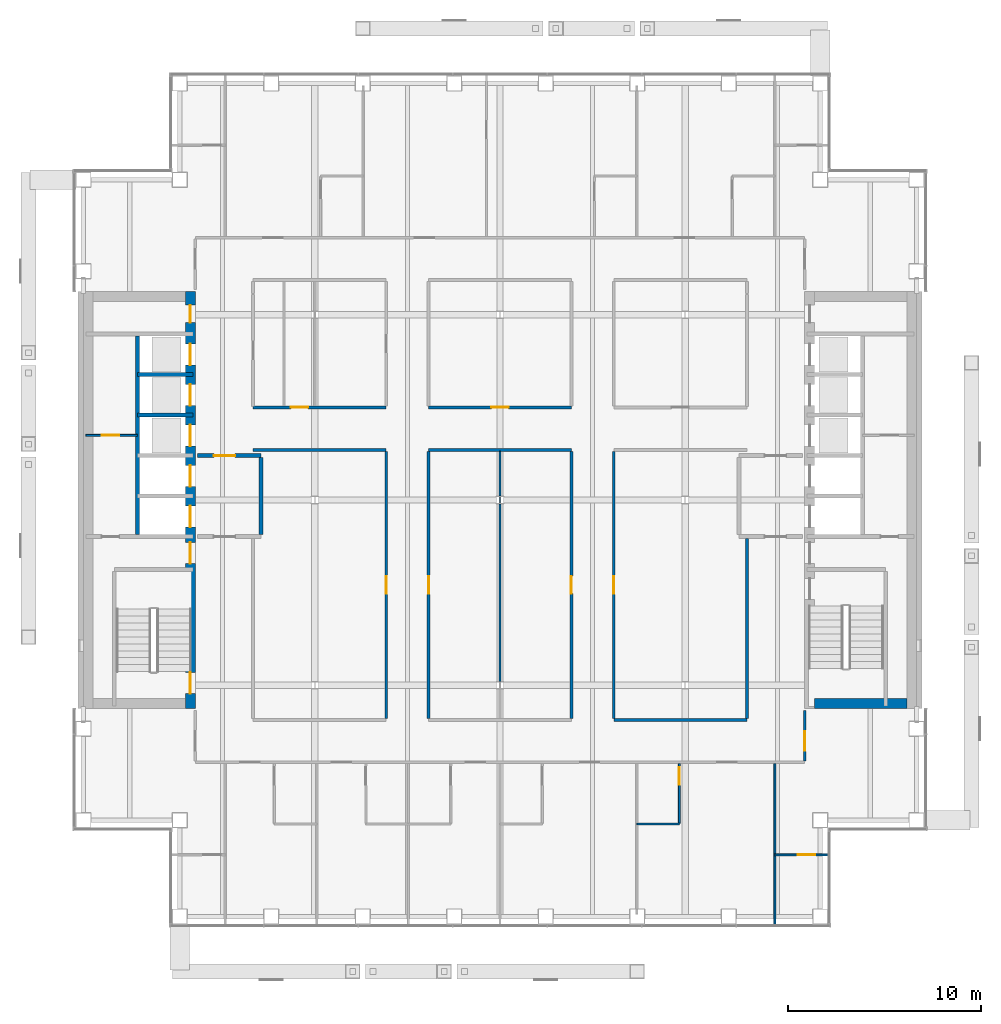
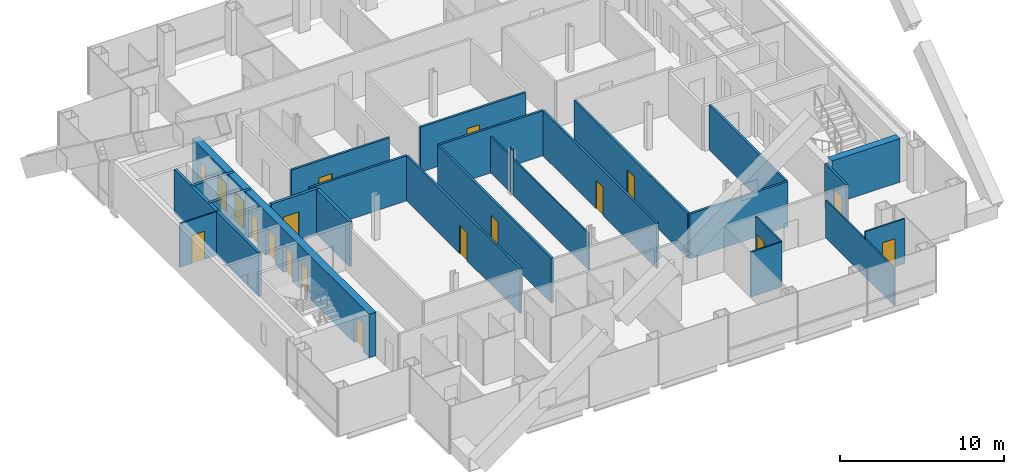
# One storey, part 13 of 17: 26 walls, 19 doors, 19 openings.
"""IFC4 building model written with IfcOpenShell, lengths in metres."""

import ifcopenshell
import ifcopenshell.guid

model = None  # the IFC model being written
_history = None  # IfcOwnerHistory: only IFC2X3 demands one
_inside = {}  # id of a spatial element -> (the spatial element, [elements in it])
_under = {}  # id of a project, library or spatial element -> (it, [spatial elements below it])
_declared = {}  # id of a project -> (the project, [libraries it declares])
_typed = {}  # id of a type object -> (the type object, [elements of that type])
_made_of = {}  # id of a material, layer set ... -> (it, [elements and type objects made of it])


def new_model(schema):
    """Start an empty IFC model of exactly this schema.

    Asked for "IFC4X3", IfcOpenShell would pick the latest addendum, in which some entities
    have other attributes; the version numbers below select the first issue.
    IFC2X3 requires an IfcOwnerHistory on every rooted entity: one is made here for all.
    """
    global model, _history
    if schema == "IFC4X3":
        model = ifcopenshell.file(schema_version=(4, 3, 0, 0))
    else:
        model = ifcopenshell.file(schema=schema)
    _inside.clear()
    _under.clear()
    _declared.clear()
    _typed.clear()
    _made_of.clear()
    _history = None
    if model.schema == "IFC2X3":
        org = make("IfcOrganization", Name="unknown")
        user = make(
            "IfcPersonAndOrganization",
            ThePerson=make("IfcPerson", FamilyName="unknown"),
            TheOrganization=org,
        )
        app = make(
            "IfcApplication",
            ApplicationDeveloper=org,
            Version="unknown",
            ApplicationFullName="unknown",
            ApplicationIdentifier="unknown",
        )
        _history = make(
            "IfcOwnerHistory",
            OwningUser=user,
            OwningApplication=app,
            ChangeAction="ADDED",
            CreationDate=0,
        )
    return model


def make(cls, **values):
    """One entity of the class cls with the attributes given. An attribute that is None is left unset."""
    return model.create_entity(
        cls, **{name: value for name, value in values.items() if value is not None}
    )


def rooted(cls, **values):
    """An entity with a GlobalId (a new one), such as an element, a storey or a relation."""
    return make(cls, GlobalId=ifcopenshell.guid.new(), OwnerHistory=_history, **values)


def si_unit(unit_type, name, prefix=None):
    """IfcSIUnit, for example si_unit("LENGTHUNIT", "METRE", prefix="MILLI")."""
    return make("IfcSIUnit", UnitType=unit_type, Prefix=prefix, Name=name)


def assignment(units):
    """IfcUnitAssignment: the units of a project."""
    return None if units is None else make("IfcUnitAssignment", Units=units)


def point(xyz):
    """IfcCartesianPoint."""
    return None if xyz is None else make("IfcCartesianPoint", Coordinates=xyz)


def direction(xyz):
    """IfcDirection."""
    return None if xyz is None else make("IfcDirection", DirectionRatios=xyz)


def frame(location, z_axis=None, x_axis=None):
    """IfcAxis2Placement3D, a coordinate frame: its origin and axes. An axis left out is left unset."""
    return make(
        "IfcAxis2Placement3D",
        Location=point(location),
        Axis=direction(z_axis),
        RefDirection=direction(x_axis),
    )


def frame_2d(location, x_axis=None):
    """IfcAxis2Placement2D, a coordinate frame in the plane: its origin and x axis."""
    return make(
        "IfcAxis2Placement2D", Location=point(location), RefDirection=direction(x_axis)
    )


def origin():
    """The frame at (0, 0, 0) with its axes left unset."""
    return frame((0.0, 0.0, 0.0))


def place(relative_to, where):
    """IfcLocalPlacement: puts the frame where relative to a parent placement (None: the world)."""
    return make(
        "IfcLocalPlacement", PlacementRelTo=relative_to, RelativePlacement=where
    )


def context(
    kind, dimensions, precision=None, world=None, true_north=None, identifier=None
):
    """IfcGeometricRepresentationContext, for example the 3D "Model" context."""
    return make(
        "IfcGeometricRepresentationContext",
        ContextIdentifier=identifier,
        ContextType=kind,
        CoordinateSpaceDimension=dimensions,
        Precision=precision,
        WorldCoordinateSystem=world,
        TrueNorth=true_north,
    )


def subcontext(parent, identifier, kind, view, scale=None):
    """IfcGeometricRepresentationSubContext, for example "Body" below "Model"."""
    return make(
        "IfcGeometricRepresentationSubContext",
        ContextIdentifier=identifier,
        ContextType=kind,
        ParentContext=parent,
        TargetScale=scale,
        TargetView=view,
    )


def project(units=None, contexts=None):
    """IfcProject with its units and contexts."""
    return rooted(
        "IfcProject",
        Name="project",
        RepresentationContexts=contexts,
        UnitsInContext=assignment(units),
    )


def spatial(cls, under=None, at=None, **own):
    """A site, building, storey or space (cls), placed at a placement, below another one or the project."""
    s = rooted(cls, ObjectPlacement=at, **own)
    if under is not None:
        _under.setdefault(under.id(), (under, []))[1].append(s)
    return s


def profile(cls, at=None, kind="AREA", **sizes):
    """A parametric profile (cls). Its sizes go by their IFC names, for example OverallWidth=200.0."""
    return make(cls, ProfileType=kind, Position=at, **sizes)


def rectangle(**sizes):
    """IfcRectangleProfileDef."""
    return profile("IfcRectangleProfileDef", **sizes)


def extrude(swept, where, along, depth):
    """IfcExtrudedAreaSolid: the profile swept, set in the frame where, extruded along a direction by depth."""
    return make(
        "IfcExtrudedAreaSolid",
        SweptArea=swept,
        Position=where,
        ExtrudedDirection=direction(along),
        Depth=depth,
    )


def shape(context_of_items, identifier, shape_type, items):
    """IfcShapeRepresentation: the items that make up one representation, for example the "Body"."""
    return make(
        "IfcShapeRepresentation",
        ContextOfItems=context_of_items,
        RepresentationIdentifier=identifier,
        RepresentationType=shape_type,
        Items=items,
    )


def material(Name=None, Category=None):
    """IfcMaterial."""
    return make("IfcMaterial", Name=Name, Category=Category)


def layer(
    of_material, thickness, ventilated=None, Name=None, Category=None, Priority=None
):
    """IfcMaterialLayer: one layer of a wall or slab, of a material (None: an air gap)."""
    return make(
        "IfcMaterialLayer",
        Material=of_material,
        LayerThickness=thickness,
        IsVentilated=ventilated,
        Name=Name,
        Category=Category,
        Priority=Priority,
    )


def layer_set(layers, Name=None):
    """IfcMaterialLayerSet."""
    return make("IfcMaterialLayerSet", MaterialLayers=layers, LayerSetName=Name)


def made_of(thing, what):
    """Note that an element or type object is made of a material, layer set ...; save() writes the relation."""
    if what is not None:
        _made_of.setdefault(what.id(), (what, []))[1].append(thing)
    return thing


def type_object(cls, material=None, **own):
    """A type object (cls), such as IfcWallType, which elements share."""
    return made_of(rooted(cls, **own), material)


def element(
    cls,
    number,
    at=None,
    inside=None,
    cuts=None,
    type_object=None,
    material=None,
    context=None,
    identifier="Body",
    shape_type=None,
    held_by="IfcProductDefinitionShape",
    body=None,
    shapes=None,
    **own,
):
    """One element of the class cls, such as IfcWall. Its Tag is "e" and its number.

    at: its placement. inside: the storey or other place that contains it. cuts: it is an
    opening in that element (IfcRelVoidsElement). A single representation is given by context,
    identifier, shape_type and body (its items); several are given by shapes. held_by: the class
    of the entity that holds the representations. save() writes the other relations.
    """
    e = rooted(cls, Tag="e%d" % number, ObjectPlacement=at, **own)
    if body is not None:
        shapes = [shape(context, identifier, shape_type, body)]
    if shapes is not None:
        e.Representation = make(held_by, Representations=shapes)
    if inside is not None:
        _inside.setdefault(inside.id(), (inside, []))[1].append(e)
    if cuts is not None:
        rooted(
            "IfcRelVoidsElement", RelatingBuildingElement=cuts, RelatedOpeningElement=e
        )
    if type_object is not None:
        _typed.setdefault(type_object.id(), (type_object, []))[1].append(e)
    return made_of(e, material)


def fill(opening, filler):
    """IfcRelFillsElement: the door or window that sits in an opening."""
    return rooted(
        "IfcRelFillsElement",
        RelatingOpeningElement=opening,
        RelatedBuildingElement=filler,
    )


def aggregate(whole, parts):
    """IfcRelAggregates: a whole, such as a stair, and the parts it consists of."""
    return rooted("IfcRelAggregates", RelatingObject=whole, RelatedObjects=parts)


def save(model, path):
    """Write the relations noted so far, then the file.

    IfcRelAggregates (storeys below a building ...), IfcRelContainedInSpatialStructure (elements
    in a storey), IfcRelDefinesByType, IfcRelAssociatesMaterial and IfcRelDeclares: one each for
    every whole, place, type object, material and project.
    """
    for whole, parts in _under.values():
        aggregate(whole, parts)
    for where, things in _inside.values():
        rooted(
            "IfcRelContainedInSpatialStructure",
            RelatedElements=things,
            RelatingStructure=where,
        )
    for kind, things in _typed.values():
        rooted("IfcRelDefinesByType", RelatedObjects=things, RelatingType=kind)
    for what, things in _made_of.values():
        rooted("IfcRelAssociatesMaterial", RelatedObjects=things, RelatingMaterial=what)
    for by, libraries in _declared.values():
        rooted("IfcRelDeclares", RelatingContext=by, RelatedDefinitions=libraries)
    model.write(path)


model = new_model("IFC4")

# Units and contexts
model_context = context("Model", 3, precision=1e-05, world=origin(), true_north=direction((0.0, 1.0)))
body_context = subcontext(model_context, "Body", "Model", "MODEL_VIEW")
ifc_project = project(units=[si_unit("LENGTHUNIT", "METRE"), si_unit("AREAUNIT", "SQUARE_METRE"), si_unit("VOLUMEUNIT", "CUBIC_METRE"), si_unit("PLANEANGLEUNIT", "RADIAN"), si_unit("MASSUNIT", "GRAM", prefix="KILO")], contexts=[model_context])

# Site, building, storey
site_placement = place(None, origin())
site = spatial("IfcSite", under=ifc_project, at=site_placement, CompositionType="ELEMENT")
building_placement = place(site_placement, origin())
building = spatial("IfcBuilding", under=site, at=building_placement, Name="Cobrizo Arcos Hotel Tower", CompositionType="ELEMENT")
storey_placement = place(building_placement, frame((0.0, 0.0, 151.5)))
storey = spatial("IfcBuildingStorey", under=building, at=storey_placement, Name="L38", CompositionType="ELEMENT", Elevation=151.5)

# Walls
ifc_material_1 = material(Name="Gypsum board partition")
ifc_layer_1 = layer(ifc_material_1, 0.14990234375)
ifc_layer_set_1 = layer_set([ifc_layer_1], Name="Corridor wall EI 60 150")
wall_type_1 = type_object("IfcWallType", Name="Corridor wall EI 60 150", PredefinedType="PARTITIONING", material=ifc_layer_set_1)
for number, where, z_axis, x_axis, name in (
    (1, (5.89990234375, -11.39990234375, 0.0), (0.0, 0.0, 1.0), (1.0, 0.0, 0.0), "Partition 010"),
    (2, (-12.800048828125, 2.60009765625, 0.0), (0.0, 0.0, 1.0), (1.0, 0.0, 0.0), "Partition 023"),
):
    element("IfcWall", number, at=place(storey_placement, frame(where, z_axis=z_axis, x_axis=x_axis)), inside=storey, type_object=wall_type_1, Name=name, PredefinedType="PARTITIONING", context=body_context, shape_type="SweptSolid", body=[
        extrude(rectangle(XDim=6.900146484375, YDim=0.14990234375, at=frame_2d((3.4501953125, 0.0))), origin(), (0.0, 0.0, 1.0), 3.35009765625),
    ])
wall_1_placement = place(storey_placement, frame((-3.699951171875, 2.60009765625, 0.0), z_axis=(0.0, 0.0, 1.0), x_axis=(1.0, 0.0, 0.0)))
element("IfcWall", 3, at=wall_1_placement, inside=storey, type_object=wall_type_1, Name="Partition 024", PredefinedType="PARTITIONING", context=body_context, shape_type="SweptSolid", body=[
    extrude(rectangle(XDim=7.39990234375, YDim=0.14990234375, at=frame_2d((3.699951171875, 0.0))), origin(), (0.0, 0.0, 1.0), 3.35009765625),
])

# Wall, opening, door
wall_2_placement = place(storey_placement, frame((-12.800048828125, 4.800048828125, 0.0), z_axis=(0.0, 0.0, 1.0), x_axis=(1.0, 0.0, 0.0)))
wall_2 = element("IfcWall", 4, at=wall_2_placement, inside=storey, type_object=wall_type_1, Name="Partition 030", PredefinedType="PARTITIONING", context=body_context, shape_type="SweptSolid", body=[
    extrude(rectangle(XDim=6.900146484375, YDim=0.14990234375, at=frame_2d((3.4501953125, 0.0))), origin(), (0.0, 0.0, 1.0), 3.35009765625),
])
opening_1_placement = place(wall_2_placement, frame((1.949951171875, 0.0, 0.0)))
opening_1 = element("IfcOpeningElement", 5, at=opening_1_placement, cuts=wall_2, Name="Opening ED-14", PredefinedType="OPENING", context=body_context, shape_type="SweptSolid", body=[
    extrude(rectangle(XDim=0.89990234375, YDim=2.10009765625, at=frame_2d((0.449951171875, 1.050048828125))), frame((0.0, 0.0869140625, 0.0), z_axis=(0.0, -1.0, 0.0), x_axis=(1.0, 0.0, 0.0)), (0.0, 0.0, 1.0), 0.173828125),
])
ifc_material_2 = material(Name="Timber door leaf", Category="wood")
door_type_1 = type_object("IfcDoorType", Name="En-suite door 900x2100", OperationType="SINGLE_SWING_LEFT", PredefinedType="DOOR", material=ifc_material_2)
door_1_placement = place(opening_1_placement, origin())
door_1 = element("IfcDoor", 6, at=door_1_placement, inside=storey, type_object=door_type_1, Name="Door ED-14", OperationType="SINGLE_SWING_LEFT", OverallHeight=2.10009765625, OverallWidth=0.89990234375, PredefinedType="DOOR", context=body_context, shape_type="SweptSolid", body=[
    extrude(rectangle(XDim=0.89990234375, YDim=2.10009765625, at=frame_2d((0.449951171875, 1.050048828125))), frame((0.0, 0.02490234375, 0.0), z_axis=(0.0, -1.0, 0.0), x_axis=(1.0, 0.0, 0.0)), (0.0, 0.0, 1.0), 0.050048828125),
])
fill(opening_1, door_1)

wall_3_placement = place(storey_placement, frame((-3.699951171875, 4.800048828125, 0.0), z_axis=(0.0, 0.0, 1.0), x_axis=(1.0, 0.0, 0.0)))
wall_3 = element("IfcWall", 7, at=wall_3_placement, inside=storey, type_object=wall_type_1, Name="Partition 031", PredefinedType="PARTITIONING", context=body_context, shape_type="SweptSolid", body=[
    extrude(rectangle(XDim=7.39990234375, YDim=0.14990234375, at=frame_2d((3.699951171875, 0.0))), origin(), (0.0, 0.0, 1.0), 3.35009765625),
])
opening_2_placement = place(wall_3_placement, frame((3.25, 0.0, 0.0)))
opening_2 = element("IfcOpeningElement", 8, at=opening_2_placement, cuts=wall_3, Name="Opening RD-10", PredefinedType="OPENING", context=body_context, shape_type="SweptSolid", body=[
    extrude(rectangle(XDim=0.89990234375, YDim=2.10009765625, at=frame_2d((0.449951171875, 1.050048828125))), frame((0.0, 0.0869140625, 0.0), z_axis=(0.0, -1.0, 0.0), x_axis=(1.0, 0.0, 0.0)), (0.0, 0.0, 1.0), 0.173828125),
])
door_type_2 = type_object("IfcDoorType", Name="Room door FD30 900x2100", OperationType="SINGLE_SWING_LEFT", PredefinedType="DOOR", material=ifc_material_2)
door_2_placement = place(opening_2_placement, origin())
door_2 = element("IfcDoor", 9, at=door_2_placement, inside=storey, type_object=door_type_2, Name="Door RD-10", OperationType="SINGLE_SWING_LEFT", OverallHeight=2.10009765625, OverallWidth=0.89990234375, PredefinedType="DOOR", context=body_context, shape_type="SweptSolid", body=[
    extrude(rectangle(XDim=0.89990234375, YDim=2.10009765625, at=frame_2d((0.449951171875, 1.050048828125))), frame((0.0, 0.02490234375, 0.0), z_axis=(0.0, -1.0, 0.0), x_axis=(1.0, 0.0, 0.0)), (0.0, 0.0, 1.0), 0.050048828125),
])
fill(opening_2, door_2)

wall_4_placement = place(storey_placement, frame((-5.89990234375, -11.324951171875, 0.0), z_axis=(0.0, 0.0, 1.0), x_axis=(0.0, 1.0, 0.0)))
wall_4 = element("IfcWall", 10, at=wall_4_placement, inside=storey, type_object=wall_type_1, Name="Partition 066", PredefinedType="PARTITIONING", context=body_context, shape_type="SweptSolid", body=[
    extrude(rectangle(XDim=13.849853515625, YDim=0.14990234375, at=frame_2d((6.9248046875, 0.0))), origin(), (0.0, 0.0, 1.0), 3.35009765625),
])
opening_3_placement = place(wall_4_placement, frame((6.47509765625, 0.0, 0.0)))
opening_3 = element("IfcOpeningElement", 11, at=opening_3_placement, cuts=wall_4, Name="Opening RD-14", PredefinedType="OPENING", context=body_context, shape_type="SweptSolid", body=[
    extrude(rectangle(XDim=0.89990234375, YDim=2.10009765625, at=frame_2d((0.449951171875, 1.050048828125))), frame((0.0, 0.0869140625, 0.0), z_axis=(0.0, -1.0, 0.0), x_axis=(1.0, 0.0, 0.0)), (0.0, 0.0, 1.0), 0.173828125),
])
door_3_placement = place(opening_3_placement, origin())
door_3 = element("IfcDoor", 12, at=door_3_placement, inside=storey, type_object=door_type_2, Name="Door RD-14", OperationType="SINGLE_SWING_LEFT", OverallHeight=2.10009765625, OverallWidth=0.89990234375, PredefinedType="DOOR", context=body_context, shape_type="SweptSolid", body=[
    extrude(rectangle(XDim=0.89990234375, YDim=2.10009765625, at=frame_2d((0.449951171875, 1.050048828125))), frame((0.0, 0.02490234375, 0.0), z_axis=(0.0, -1.0, 0.0), x_axis=(1.0, 0.0, 0.0)), (0.0, 0.0, 1.0), 0.050048828125),
])
fill(opening_3, door_3)

wall_5_placement = place(storey_placement, frame((-3.699951171875, -11.324951171875, 0.0), z_axis=(0.0, 0.0, 1.0), x_axis=(0.0, 1.0, 0.0)))
wall_5 = element("IfcWall", 13, at=wall_5_placement, inside=storey, type_object=wall_type_1, Name="Partition 070", PredefinedType="PARTITIONING", context=body_context, shape_type="SweptSolid", body=[
    extrude(rectangle(XDim=13.849853515625, YDim=0.14990234375, at=frame_2d((6.9248046875, 0.0))), origin(), (0.0, 0.0, 1.0), 3.35009765625),
])
opening_4_placement = place(wall_5_placement, frame((6.47509765625, 0.0, 0.0)))
opening_4 = element("IfcOpeningElement", 14, at=opening_4_placement, cuts=wall_5, Name="Opening RD-11", PredefinedType="OPENING", context=body_context, shape_type="SweptSolid", body=[
    extrude(rectangle(XDim=0.89990234375, YDim=2.10009765625, at=frame_2d((0.449951171875, 1.050048828125))), frame((0.0, 0.0869140625, 0.0), z_axis=(0.0, -1.0, 0.0), x_axis=(1.0, 0.0, 0.0)), (0.0, 0.0, 1.0), 0.173828125),
])
door_4_placement = place(opening_4_placement, origin())
door_4 = element("IfcDoor", 15, at=door_4_placement, inside=storey, type_object=door_type_2, Name="Door RD-11", OperationType="SINGLE_SWING_RIGHT", OverallHeight=2.10009765625, OverallWidth=0.89990234375, PredefinedType="DOOR", context=body_context, shape_type="SweptSolid", body=[
    extrude(rectangle(XDim=0.89990234375, YDim=2.10009765625, at=frame_2d((0.449951171875, 1.050048828125))), frame((0.0, 0.02490234375, 0.0), z_axis=(0.0, -1.0, 0.0), x_axis=(1.0, 0.0, 0.0)), (0.0, 0.0, 1.0), 0.050048828125),
])
fill(opening_4, door_4)

wall_6_placement = place(storey_placement, frame((3.699951171875, -11.324951171875, 0.0), z_axis=(0.0, 0.0, 1.0), x_axis=(0.0, 1.0, 0.0)))
wall_6 = element("IfcWall", 16, at=wall_6_placement, inside=storey, type_object=wall_type_1, Name="Partition 081", PredefinedType="PARTITIONING", context=body_context, shape_type="SweptSolid", body=[
    extrude(rectangle(XDim=13.849853515625, YDim=0.14990234375, at=frame_2d((6.9248046875, 0.0))), origin(), (0.0, 0.0, 1.0), 3.35009765625),
])
opening_5_placement = place(wall_6_placement, frame((6.47509765625, 0.0, 0.0)))
opening_5 = element("IfcOpeningElement", 17, at=opening_5_placement, cuts=wall_6, Name="Opening RD-12", PredefinedType="OPENING", context=body_context, shape_type="SweptSolid", body=[
    extrude(rectangle(XDim=0.89990234375, YDim=2.10009765625, at=frame_2d((0.449951171875, 1.050048828125))), frame((0.0, 0.0869140625, 0.0), z_axis=(0.0, -1.0, 0.0), x_axis=(1.0, 0.0, 0.0)), (0.0, 0.0, 1.0), 0.173828125),
])
door_5_placement = place(opening_5_placement, origin())
door_5 = element("IfcDoor", 18, at=door_5_placement, inside=storey, type_object=door_type_2, Name="Door RD-12", OperationType="SINGLE_SWING_LEFT", OverallHeight=2.10009765625, OverallWidth=0.89990234375, PredefinedType="DOOR", context=body_context, shape_type="SweptSolid", body=[
    extrude(rectangle(XDim=0.89990234375, YDim=2.10009765625, at=frame_2d((0.449951171875, 1.050048828125))), frame((0.0, 0.02490234375, 0.0), z_axis=(0.0, -1.0, 0.0), x_axis=(1.0, 0.0, 0.0)), (0.0, 0.0, 1.0), 0.050048828125),
])
fill(opening_5, door_5)

wall_7_placement = place(storey_placement, frame((5.89990234375, -11.324951171875, 0.0), z_axis=(0.0, 0.0, 1.0), x_axis=(0.0, 1.0, 0.0)))
wall_7 = element("IfcWall", 19, at=wall_7_placement, inside=storey, type_object=wall_type_1, Name="Partition 084", PredefinedType="PARTITIONING", context=body_context, shape_type="SweptSolid", body=[
    extrude(rectangle(XDim=13.849853515625, YDim=0.14990234375, at=frame_2d((6.9248046875, 0.0))), origin(), (0.0, 0.0, 1.0), 3.35009765625),
])
opening_6_placement = place(wall_7_placement, frame((6.47509765625, 0.0, 0.0)))
opening_6 = element("IfcOpeningElement", 20, at=opening_6_placement, cuts=wall_7, Name="Opening RD-13", PredefinedType="OPENING", context=body_context, shape_type="SweptSolid", body=[
    extrude(rectangle(XDim=0.89990234375, YDim=2.10009765625, at=frame_2d((0.449951171875, 1.050048828125))), frame((0.0, 0.0869140625, 0.0), z_axis=(0.0, -1.0, 0.0), x_axis=(1.0, 0.0, 0.0)), (0.0, 0.0, 1.0), 0.173828125),
])
door_6_placement = place(opening_6_placement, origin())
door_6 = element("IfcDoor", 21, at=door_6_placement, inside=storey, type_object=door_type_2, Name="Door RD-13", OperationType="SINGLE_SWING_RIGHT", OverallHeight=2.10009765625, OverallWidth=0.89990234375, PredefinedType="DOOR", context=body_context, shape_type="SweptSolid", body=[
    extrude(rectangle(XDim=0.89990234375, YDim=2.10009765625, at=frame_2d((0.449951171875, 1.050048828125))), frame((0.0, 0.02490234375, 0.0), z_axis=(0.0, -1.0, 0.0), x_axis=(1.0, 0.0, 0.0)), (0.0, 0.0, 1.0), 0.050048828125),
])
fill(opening_6, door_6)

# Wall
wall_8_placement = place(storey_placement, frame((12.800048828125, -11.324951171875, 0.0), z_axis=(0.0, 0.0, 1.0), x_axis=(0.0, 1.0, 0.0)))
element("IfcWall", 22, at=wall_8_placement, inside=storey, type_object=wall_type_1, Name="Partition 091", PredefinedType="PARTITIONING", context=body_context, shape_type="SweptSolid", body=[
    extrude(rectangle(XDim=9.324951171875, YDim=0.14990234375, at=frame_2d((4.66259765625, 0.0))), origin(), (0.0, 0.0, 1.0), 3.35009765625),
])

# Wall, opening, door
wall_9_placement = place(storey_placement, frame((15.800048828125, -13.52490234375, 0.0), z_axis=(0.0, 0.0, 1.0), x_axis=(0.0, 1.0, 0.0)))
wall_9 = element("IfcWall", 23, at=wall_9_placement, inside=storey, type_object=wall_type_1, Name="Partition 096", PredefinedType="PARTITIONING", context=body_context, shape_type="SweptSolid", body=[
    extrude(rectangle(XDim=2.60498046875, YDim=0.14990234375, at=frame_2d((1.302490234375, 0.0))), origin(), (0.0, 0.0, 1.0), 3.35009765625),
])
opening_7_placement = place(wall_9_placement, frame((0.52490234375, 0.0, 0.0)))
opening_7 = element("IfcOpeningElement", 24, at=opening_7_placement, cuts=wall_9, Name="Opening GD-11", PredefinedType="OPENING", context=body_context, shape_type="SweptSolid", body=[
    extrude(rectangle(XDim=1.0, YDim=2.10009765625, at=frame_2d((0.5, 1.050048828125))), frame((0.0, 0.0869140625, 0.0), z_axis=(0.0, -1.0, 0.0), x_axis=(1.0, 0.0, 0.0)), (0.0, 0.0, 1.0), 0.173828125),
])
door_type_3 = type_object("IfcDoorType", Name="Guest room door FD30S 1000x2100", OperationType="SINGLE_SWING_LEFT", PredefinedType="DOOR", material=ifc_material_2)
door_7_placement = place(opening_7_placement, origin())
door_7 = element("IfcDoor", 25, at=door_7_placement, inside=storey, type_object=door_type_3, Name="Door GD-11", OperationType="SINGLE_SWING_LEFT", OverallHeight=2.10009765625, OverallWidth=1.0, PredefinedType="DOOR", context=body_context, shape_type="SweptSolid", body=[
    extrude(rectangle(XDim=1.0, YDim=2.10009765625, at=frame_2d((0.5, 1.050048828125))), frame((0.0, 0.02490234375, 0.0), z_axis=(0.0, -1.0, 0.0), x_axis=(1.0, 0.0, 0.0)), (0.0, 0.0, 1.0), 0.050048828125),
])
fill(opening_7, door_7)

ifc_layer_2 = layer(ifc_material_1, 0.10009765625)
ifc_layer_set_2 = layer_set([ifc_layer_2], Name="Partition EI 30 100")
wall_type_2 = type_object("IfcWallType", Name="Partition EI 30 100", PredefinedType="PARTITIONING", material=ifc_layer_set_2)
wall_10_placement = place(storey_placement, frame((14.25, -18.39990234375, 0.0), z_axis=(0.0, 0.0, 1.0), x_axis=(1.0, 0.0, 0.0)))
wall_10 = element("IfcWall", 26, at=wall_10_placement, inside=storey, type_object=wall_type_2, Name="Partition 002", PredefinedType="PARTITIONING", context=body_context, shape_type="SweptSolid", body=[
    extrude(rectangle(XDim=2.780029296875, YDim=0.10009765625, at=frame_2d((1.39013671875, 0.0))), origin(), (0.0, 0.0, 1.0), 3.35009765625),
])
opening_8_placement = place(wall_10_placement, frame((1.18896484375, 0.0, 0.0)))
opening_8 = element("IfcOpeningElement", 27, at=opening_8_placement, cuts=wall_10, Name="Opening ED-11", PredefinedType="OPENING", context=body_context, shape_type="SweptSolid", body=[
    extrude(rectangle(XDim=0.89990234375, YDim=2.10009765625, at=frame_2d((0.449951171875, 1.050048828125))), frame((0.0, 0.06201171875, 0.0), z_axis=(0.0, -1.0, 0.0), x_axis=(1.0, 0.0, 0.0)), (0.0, 0.0, 1.0), 0.1240234375),
])
door_8_placement = place(opening_8_placement, origin())
door_8 = element("IfcDoor", 28, at=door_8_placement, inside=storey, type_object=door_type_1, Name="Door ED-11", OperationType="SINGLE_SWING_RIGHT", OverallHeight=2.10009765625, OverallWidth=0.89990234375, PredefinedType="DOOR", context=body_context, shape_type="SweptSolid", body=[
    extrude(rectangle(XDim=0.89990234375, YDim=2.10009765625, at=frame_2d((0.449951171875, 1.050048828125))), frame((0.0, 0.02490234375, 0.0), z_axis=(0.0, -1.0, 0.0), x_axis=(1.0, 0.0, 0.0)), (0.0, 0.0, 1.0), 0.050048828125),
])
fill(opening_8, door_8)

# Wall
wall_11_placement = place(storey_placement, frame((7.10009765625, -16.800048828125, 0.0), z_axis=(0.0, 0.0, 1.0), x_axis=(1.0, 0.0, 0.0)))
element("IfcWall", 29, at=wall_11_placement, inside=storey, type_object=wall_type_2, Name="Partition 006", PredefinedType="PARTITIONING", context=body_context, shape_type="SweptSolid", body=[
    extrude(rectangle(XDim=2.199951171875, YDim=0.10009765625, at=frame_2d((1.10009765625, 0.0))), origin(), (0.0, 0.0, 1.0), 3.35009765625),
])

# Wall, opening, door
wall_12_placement = place(storey_placement, frame((-21.47998046875, 3.35009765625, 0.0), z_axis=(0.0, 0.0, 1.0), x_axis=(1.0, 0.0, 0.0)))
wall_12 = element("IfcWall", 30, at=wall_12_placement, inside=storey, type_object=wall_type_2, Name="Partition 026", PredefinedType="PARTITIONING", context=body_context, shape_type="SweptSolid", body=[
    extrude(rectangle(XDim=2.679931640625, YDim=0.10009765625, at=frame_2d((1.33984375, 0.0))), origin(), (0.0, 0.0, 1.0), 3.25),
])
opening_9_placement = place(wall_12_placement, frame((0.830078125, 0.0, 0.0)))
opening_9 = element("IfcOpeningElement", 31, at=opening_9_placement, cuts=wall_12, Name="Opening RD-03", PredefinedType="OPENING", context=body_context, shape_type="SweptSolid", body=[
    extrude(rectangle(XDim=0.89990234375, YDim=2.10009765625, at=frame_2d((0.449951171875, 1.050048828125))), frame((0.0, 0.06201171875, 0.0), z_axis=(0.0, -1.0, 0.0), x_axis=(1.0, 0.0, 0.0)), (0.0, 0.0, 1.0), 0.1240234375),
])
door_9_placement = place(opening_9_placement, origin())
door_9 = element("IfcDoor", 32, at=door_9_placement, inside=storey, type_object=door_type_2, Name="Door RD-03", OperationType="SINGLE_SWING_LEFT", OverallHeight=2.10009765625, OverallWidth=0.89990234375, PredefinedType="DOOR", context=body_context, shape_type="SweptSolid", body=[
    extrude(rectangle(XDim=0.89990234375, YDim=2.10009765625, at=frame_2d((0.449951171875, 1.050048828125))), frame((0.0, 0.02490234375, 0.0), z_axis=(0.0, -1.0, 0.0), x_axis=(1.0, 0.0, 0.0)), (0.0, 0.0, 1.0), 0.050048828125),
])
fill(opening_9, door_9)

# Walls
wall_13_placement = place(storey_placement, frame((0.0, -9.4130859375, 0.0), z_axis=(0.0, 0.0, 1.0), x_axis=(0.0, 1.0, 0.0)))
element("IfcWall", 33, at=wall_13_placement, inside=storey, type_object=wall_type_2, Name="Partition 077", PredefinedType="PARTITIONING", context=body_context, shape_type="SweptSolid", body=[
    extrude(rectangle(XDim=9.22607421875, YDim=0.10009765625, at=frame_2d((4.613037109375, 0.0))), origin(), (0.0, 0.0, 1.0), 2.72802734375),
])
wall_14_placement = place(storey_placement, frame((0.0, -0.18701171875, 0.0), z_axis=(0.0, 0.0, 1.0), x_axis=(0.0, 1.0, 0.0)))
element("IfcWall", 34, at=wall_14_placement, inside=storey, type_object=wall_type_2, Name="Partition 078", PredefinedType="PARTITIONING", context=body_context, shape_type="SweptSolid", body=[
    extrude(rectangle(XDim=0.3740234375, YDim=0.10009765625, at=frame_2d((0.18701171875, 0.0))), origin(), (0.0, 0.0, 1.0), 3.35009765625),
])
wall_15_placement = place(storey_placement, frame((0.0, 0.18701171875, 0.0), z_axis=(0.0, 0.0, 1.0), x_axis=(0.0, 1.0, 0.0)))
element("IfcWall", 35, at=wall_15_placement, inside=storey, type_object=wall_type_2, Name="Partition 079", PredefinedType="PARTITIONING", context=body_context, shape_type="SweptSolid", body=[
    extrude(rectangle(XDim=2.337890625, YDim=0.10009765625, at=frame_2d((1.1689453125, 0.0))), origin(), (0.0, 0.0, 1.0), 2.72802734375),
])

# Wall, opening, door
wall_16_placement = place(storey_placement, frame((9.300048828125, -16.75, 0.0), z_axis=(0.0, 0.0, 1.0), x_axis=(0.0, 1.0, 0.0)))
wall_16 = element("IfcWall", 36, at=wall_16_placement, inside=storey, type_object=wall_type_2, Name="Partition 088", PredefinedType="PARTITIONING", context=body_context, shape_type="SweptSolid", body=[
    extrude(rectangle(XDim=3.074951171875, YDim=0.10009765625, at=frame_2d((1.53759765625, 0.0))), origin(), (0.0, 0.0, 1.0), 3.35009765625),
])
opening_10_placement = place(wall_16_placement, frame((1.99609375, 0.0, 0.0)))
opening_10 = element("IfcOpeningElement", 37, at=opening_10_placement, cuts=wall_16, Name="Opening ED-08", PredefinedType="OPENING", context=body_context, shape_type="SweptSolid", body=[
    extrude(rectangle(XDim=0.89990234375, YDim=2.10009765625, at=frame_2d((0.449951171875, 1.050048828125))), frame((0.0, 0.06201171875, 0.0), z_axis=(0.0, -1.0, 0.0), x_axis=(1.0, 0.0, 0.0)), (0.0, 0.0, 1.0), 0.1240234375),
])
door_10_placement = place(opening_10_placement, origin())
door_10 = element("IfcDoor", 38, at=door_10_placement, inside=storey, type_object=door_type_1, Name="Door ED-08", OperationType="SINGLE_SWING_RIGHT", OverallHeight=2.10009765625, OverallWidth=0.89990234375, PredefinedType="DOOR", context=body_context, shape_type="SweptSolid", body=[
    extrude(rectangle(XDim=0.89990234375, YDim=2.10009765625, at=frame_2d((0.449951171875, 1.050048828125))), frame((0.0, 0.02490234375, 0.0), z_axis=(0.0, -1.0, 0.0), x_axis=(1.0, 0.0, 0.0)), (0.0, 0.0, 1.0), 0.050048828125),
])
fill(opening_10, door_10)

# Walls
wall_17_placement = place(storey_placement, frame((14.25, -22.030029296875, 0.0), z_axis=(0.0, 0.0, 1.0), x_axis=(0.0, 1.0, 0.0)))
element("IfcWall", 39, at=wall_17_placement, inside=storey, type_object=wall_type_2, Name="Partition 094", PredefinedType="PARTITIONING", context=body_context, shape_type="SweptSolid", body=[
    extrude(rectangle(XDim=8.35498046875, YDim=0.10009765625, at=frame_2d((4.177490234375, 0.0))), origin(), (0.0, 0.0, 1.0), 2.81689453125),
])
ifc_material_3 = material(Name="Concrete f'c 50 MPa", Category="concrete")
ifc_layer_3 = layer(ifc_material_3, 0.5)
ifc_layer_set_3 = layer_set([ifc_layer_3], Name="RC core wall 500 f'c 50")
wall_type_3 = type_object("IfcWallType", Name="RC core wall 500 f'c 50", PredefinedType="SHEAR", material=ifc_layer_set_3)
wall_18_placement = place(storey_placement, frame((16.300048828125, -10.550048828125, 0.0), z_axis=(0.0, 0.0, 1.0), x_axis=(1.0, 0.0, 0.0)))
element("IfcWall", 40, at=wall_18_placement, inside=storey, type_object=wall_type_3, Name="Core wall CW3, east core, south end, L38", PredefinedType="SHEAR", context=body_context, shape_type="SweptSolid", body=[
    extrude(rectangle(XDim=4.800048828125, YDim=0.5, at=frame_2d((2.39990234375, 0.0))), origin(), (0.0, 0.0, 1.0), 3.25),
])

# Wall, openings, doors
wall_19_placement = place(storey_placement, frame((-16.050048828125, -10.800048828125, 0.0), z_axis=(0.0, 0.0, 1.0), x_axis=(0.0, 1.0, 0.0)))
wall_19 = element("IfcWall", 41, at=wall_19_placement, inside=storey, type_object=wall_type_3, Name="Core wall CW3, west core, inner face, L38", PredefinedType="SHEAR", context=body_context, shape_type="SweptSolid", body=[
    extrude(rectangle(XDim=21.60009765625, YDim=0.5, at=frame_2d((10.800048828125, 0.0))), origin(), (0.0, 0.0, 1.0), 3.25),
])
opening_11_placement = place(wall_19_placement, frame((9.39990234375, 0.0, 0.0)))
opening_11 = element("IfcOpeningElement", 42, at=opening_11_placement, cuts=wall_19, Name="Opening LD-01", PredefinedType="OPENING", context=body_context, shape_type="SweptSolid", body=[
    extrude(rectangle(XDim=1.10009765625, YDim=2.10009765625, at=frame_2d((0.550048828125, 1.050048828125))), frame((0.0, 0.261962890625, 0.0), z_axis=(0.0, -1.0, 0.0), x_axis=(1.0, 0.0, 0.0)), (0.0, 0.0, 1.0), 0.52392578125),
])
opening_12_placement = place(wall_19_placement, frame((11.5, 0.0, 0.0)))
opening_12 = element("IfcOpeningElement", 43, at=opening_12_placement, cuts=wall_19, Name="Opening LD-02", PredefinedType="OPENING", context=body_context, shape_type="SweptSolid", body=[
    extrude(rectangle(XDim=1.10009765625, YDim=2.10009765625, at=frame_2d((0.550048828125, 1.050048828125))), frame((0.0, 0.261962890625, 0.0), z_axis=(0.0, -1.0, 0.0), x_axis=(1.0, 0.0, 0.0)), (0.0, 0.0, 1.0), 0.52392578125),
])
opening_13_placement = place(wall_19_placement, frame((13.60009765625, 0.0, 0.0)))
opening_13 = element("IfcOpeningElement", 44, at=opening_13_placement, cuts=wall_19, Name="Opening LD-03", PredefinedType="OPENING", context=body_context, shape_type="SweptSolid", body=[
    extrude(rectangle(XDim=1.10009765625, YDim=2.10009765625, at=frame_2d((0.550048828125, 1.050048828125))), frame((0.0, 0.261962890625, 0.0), z_axis=(0.0, -1.0, 0.0), x_axis=(1.0, 0.0, 0.0)), (0.0, 0.0, 1.0), 0.52392578125),
])
opening_14_placement = place(wall_19_placement, frame((15.699951171875, 0.0, 0.0)))
opening_14 = element("IfcOpeningElement", 45, at=opening_14_placement, cuts=wall_19, Name="Opening LD-04", PredefinedType="OPENING", context=body_context, shape_type="SweptSolid", body=[
    extrude(rectangle(XDim=1.10009765625, YDim=2.10009765625, at=frame_2d((0.550048828125, 1.050048828125))), frame((0.0, 0.261962890625, 0.0), z_axis=(0.0, -1.0, 0.0), x_axis=(1.0, 0.0, 0.0)), (0.0, 0.0, 1.0), 0.52392578125),
])
opening_15_placement = place(wall_19_placement, frame((17.800048828125, 0.0, 0.0)))
opening_15 = element("IfcOpeningElement", 46, at=opening_15_placement, cuts=wall_19, Name="Opening LD-05", PredefinedType="OPENING", context=body_context, shape_type="SweptSolid", body=[
    extrude(rectangle(XDim=1.10009765625, YDim=2.10009765625, at=frame_2d((0.550048828125, 1.050048828125))), frame((0.0, 0.261962890625, 0.0), z_axis=(0.0, -1.0, 0.0), x_axis=(1.0, 0.0, 0.0)), (0.0, 0.0, 1.0), 0.52392578125),
])
opening_16_placement = place(wall_19_placement, frame((0.758056640625, 0.0, 0.0)))
opening_16 = element("IfcOpeningElement", 47, at=opening_16_placement, cuts=wall_19, Name="Opening SD-01", PredefinedType="OPENING", context=body_context, shape_type="SweptSolid", body=[
    extrude(rectangle(XDim=1.10009765625, YDim=2.10009765625, at=frame_2d((0.550048828125, 1.050048828125))), frame((0.0, 0.261962890625, 0.0), z_axis=(0.0, -1.0, 0.0), x_axis=(1.0, 0.0, 0.0)), (0.0, 0.0, 1.0), 0.52392578125),
])
opening_17_placement = place(wall_19_placement, frame((7.5, 0.0, 0.0)))
opening_17 = element("IfcOpeningElement", 48, at=opening_17_placement, cuts=wall_19, Name="Opening FD-01", PredefinedType="OPENING", context=body_context, shape_type="SweptSolid", body=[
    extrude(rectangle(XDim=1.10009765625, YDim=2.10009765625, at=frame_2d((0.550048828125, 1.050048828125))), frame((0.0, 0.261962890625, 0.0), z_axis=(0.0, -1.0, 0.0), x_axis=(1.0, 0.0, 0.0)), (0.0, 0.0, 1.0), 0.52392578125),
])
opening_18_placement = place(wall_19_placement, frame((20.0, 0.0, 0.0)))
opening_18 = element("IfcOpeningElement", 49, at=opening_18_placement, cuts=wall_19, Name="Opening RD-01", PredefinedType="OPENING", context=body_context, shape_type="SweptSolid", body=[
    extrude(rectangle(XDim=0.89990234375, YDim=2.10009765625, at=frame_2d((0.449951171875, 1.050048828125))), frame((0.0, 0.261962890625, 0.0), z_axis=(0.0, -1.0, 0.0), x_axis=(1.0, 0.0, 0.0)), (0.0, 0.0, 1.0), 0.52392578125),
])
ifc_material_4 = material(Name="Steel door leaf", Category="steel")
door_type_4 = type_object("IfcDoorType", Name="Fire door FD60 1100x2100", OperationType="SINGLE_SWING_LEFT", PredefinedType="DOOR", material=ifc_material_4)
door_11_placement = place(opening_17_placement, origin())
door_11 = element("IfcDoor", 50, at=door_11_placement, inside=storey, type_object=door_type_4, Name="Door FD-01", OperationType="SINGLE_SWING_RIGHT", OverallHeight=2.10009765625, OverallWidth=1.10009765625, PredefinedType="DOOR", context=body_context, shape_type="SweptSolid", body=[
    extrude(rectangle(XDim=1.10009765625, YDim=2.10009765625, at=frame_2d((0.550048828125, 1.050048828125))), frame((0.0, 0.02490234375, 0.0), z_axis=(0.0, -1.0, 0.0), x_axis=(1.0, 0.0, 0.0)), (0.0, 0.0, 1.0), 0.050048828125),
])
fill(opening_17, door_11)
door_type_5 = type_object("IfcDoorType", Name="Lift landing door 1100x2100", OperationType="SLIDING_TO_LEFT", PredefinedType="DOOR", material=ifc_material_4)
door_12_placement = place(opening_11_placement, origin())
door_12 = element("IfcDoor", 51, at=door_12_placement, inside=storey, type_object=door_type_5, Name="Lift landing door LD-01", OperationType="SLIDING_TO_LEFT", OverallHeight=2.10009765625, OverallWidth=1.10009765625, PredefinedType="DOOR", context=body_context, shape_type="SweptSolid", body=[
    extrude(rectangle(XDim=1.10009765625, YDim=2.10009765625, at=frame_2d((0.550048828125, 1.050048828125))), frame((0.0, 0.02490234375, 0.0), z_axis=(0.0, -1.0, 0.0), x_axis=(1.0, 0.0, 0.0)), (0.0, 0.0, 1.0), 0.050048828125),
])
fill(opening_11, door_12)
door_13_placement = place(opening_12_placement, origin())
door_13 = element("IfcDoor", 52, at=door_13_placement, inside=storey, type_object=door_type_5, Name="Lift landing door LD-02", OperationType="SLIDING_TO_LEFT", OverallHeight=2.10009765625, OverallWidth=1.10009765625, PredefinedType="DOOR", context=body_context, shape_type="SweptSolid", body=[
    extrude(rectangle(XDim=1.10009765625, YDim=2.10009765625, at=frame_2d((0.550048828125, 1.050048828125))), frame((0.0, 0.02490234375, 0.0), z_axis=(0.0, -1.0, 0.0), x_axis=(1.0, 0.0, 0.0)), (0.0, 0.0, 1.0), 0.050048828125),
])
fill(opening_12, door_13)
door_14_placement = place(opening_13_placement, origin())
door_14 = element("IfcDoor", 53, at=door_14_placement, inside=storey, type_object=door_type_5, Name="Lift landing door LD-03", OperationType="SLIDING_TO_LEFT", OverallHeight=2.10009765625, OverallWidth=1.10009765625, PredefinedType="DOOR", context=body_context, shape_type="SweptSolid", body=[
    extrude(rectangle(XDim=1.10009765625, YDim=2.10009765625, at=frame_2d((0.550048828125, 1.050048828125))), frame((0.0, 0.02490234375, 0.0), z_axis=(0.0, -1.0, 0.0), x_axis=(1.0, 0.0, 0.0)), (0.0, 0.0, 1.0), 0.050048828125),
])
fill(opening_13, door_14)
door_15_placement = place(opening_14_placement, origin())
door_15 = element("IfcDoor", 54, at=door_15_placement, inside=storey, type_object=door_type_5, Name="Lift landing door LD-04", OperationType="SLIDING_TO_LEFT", OverallHeight=2.10009765625, OverallWidth=1.10009765625, PredefinedType="DOOR", context=body_context, shape_type="SweptSolid", body=[
    extrude(rectangle(XDim=1.10009765625, YDim=2.10009765625, at=frame_2d((0.550048828125, 1.050048828125))), frame((0.0, 0.02490234375, 0.0), z_axis=(0.0, -1.0, 0.0), x_axis=(1.0, 0.0, 0.0)), (0.0, 0.0, 1.0), 0.050048828125),
])
fill(opening_14, door_15)
door_16_placement = place(opening_15_placement, origin())
door_16 = element("IfcDoor", 55, at=door_16_placement, inside=storey, type_object=door_type_5, Name="Lift landing door LD-05", OperationType="SLIDING_TO_LEFT", OverallHeight=2.10009765625, OverallWidth=1.10009765625, PredefinedType="DOOR", context=body_context, shape_type="SweptSolid", body=[
    extrude(rectangle(XDim=1.10009765625, YDim=2.10009765625, at=frame_2d((0.550048828125, 1.050048828125))), frame((0.0, 0.02490234375, 0.0), z_axis=(0.0, -1.0, 0.0), x_axis=(1.0, 0.0, 0.0)), (0.0, 0.0, 1.0), 0.050048828125),
])
fill(opening_15, door_16)
door_17_placement = place(opening_18_placement, origin())
door_17 = element("IfcDoor", 56, at=door_17_placement, inside=storey, type_object=door_type_2, Name="Door RD-01", OperationType="SINGLE_SWING_LEFT", OverallHeight=2.10009765625, OverallWidth=0.89990234375, PredefinedType="DOOR", context=body_context, shape_type="SweptSolid", body=[
    extrude(rectangle(XDim=0.89990234375, YDim=2.10009765625, at=frame_2d((0.449951171875, 1.050048828125))), frame((0.0, 0.02490234375, 0.0), z_axis=(0.0, -1.0, 0.0), x_axis=(1.0, 0.0, 0.0)), (0.0, 0.0, 1.0), 0.050048828125),
])
fill(opening_18, door_17)
door_type_6 = type_object("IfcDoorType", Name="Stair door FD60S 1100x2100", OperationType="SINGLE_SWING_LEFT", PredefinedType="DOOR", material=ifc_material_4)
door_18_placement = place(opening_16_placement, origin())
door_18 = element("IfcDoor", 57, at=door_18_placement, inside=storey, type_object=door_type_6, Name="Door SD-01", OperationType="SINGLE_SWING_LEFT", OverallHeight=2.10009765625, OverallWidth=1.10009765625, PredefinedType="DOOR", context=body_context, shape_type="SweptSolid", body=[
    extrude(rectangle(XDim=1.10009765625, YDim=2.10009765625, at=frame_2d((0.550048828125, 1.050048828125))), frame((0.0, 0.02490234375, 0.0), z_axis=(0.0, -1.0, 0.0), x_axis=(1.0, 0.0, 0.0)), (0.0, 0.0, 1.0), 0.050048828125),
])
fill(opening_16, door_18)

# Wall, opening, door
ifc_layer_4 = layer(ifc_material_1, 0.199951171875)
ifc_layer_set_4 = layer_set([ifc_layer_4], Name="Shaft wall EI 120 200")
wall_type_4 = type_object("IfcWallType", Name="Shaft wall EI 120 200", PredefinedType="PARTITIONING", material=ifc_layer_set_4)
wall_20_placement = place(storey_placement, frame((-15.679931640625, 2.300048828125, 0.0), z_axis=(0.0, 0.0, 1.0), x_axis=(1.0, 0.0, 0.0)))
wall_20 = element("IfcWall", 58, at=wall_20_placement, inside=storey, type_object=wall_type_4, Name="Partition 020", PredefinedType="PARTITIONING", context=body_context, shape_type="SweptSolid", body=[
    extrude(rectangle(XDim=3.280029296875, YDim=0.199951171875, at=frame_2d((1.64013671875, 0.0))), origin(), (0.0, 0.0, 1.0), 3.35009765625),
])
opening_19_placement = place(wall_20_placement, frame((0.840087890625, 0.0, 0.0)))
opening_19 = element("IfcOpeningElement", 59, at=opening_19_placement, cuts=wall_20, Name="Opening FD-02", PredefinedType="OPENING", context=body_context, shape_type="SweptSolid", body=[
    extrude(rectangle(XDim=1.10009765625, YDim=2.10009765625, at=frame_2d((0.550048828125, 1.050048828125))), frame((0.0, 0.112060546875, 0.0), z_axis=(0.0, -1.0, 0.0), x_axis=(1.0, 0.0, 0.0)), (0.0, 0.0, 1.0), 0.223876953125),
])
door_19_placement = place(opening_19_placement, origin())
door_19 = element("IfcDoor", 60, at=door_19_placement, inside=storey, type_object=door_type_4, Name="Door FD-02", OperationType="SINGLE_SWING_RIGHT", OverallHeight=2.10009765625, OverallWidth=1.10009765625, PredefinedType="DOOR", context=body_context, shape_type="SweptSolid", body=[
    extrude(rectangle(XDim=1.10009765625, YDim=2.10009765625, at=frame_2d((0.550048828125, 1.050048828125))), frame((0.0, 0.02490234375, 0.0), z_axis=(0.0, -1.0, 0.0), x_axis=(1.0, 0.0, 0.0)), (0.0, 0.0, 1.0), 0.050048828125),
])
fill(opening_19, door_19)

# Walls
for number, where, z_axis, x_axis, name in (
    (61, (-18.800048828125, 4.39990234375, 0.0), (0.0, 0.0, 1.0), (1.0, 0.0, 0.0), "Partition 028"),
    (62, (-18.800048828125, 6.5, 0.0), (0.0, 0.0, 1.0), (1.0, 0.0, 0.0), "Partition 033"),
):
    element("IfcWall", number, at=place(storey_placement, frame(where, z_axis=z_axis, x_axis=x_axis)), inside=storey, type_object=wall_type_4, Name=name, PredefinedType="PARTITIONING", context=body_context, shape_type="SweptSolid", body=[
        extrude(rectangle(XDim=2.880126953125, YDim=0.199951171875, at=frame_2d((1.43994140625, 0.0))), origin(), (0.0, 0.0, 1.0), 3.25),
    ])
wall_21_placement = place(storey_placement, frame((-18.800048828125, -1.800048828125, 0.0), z_axis=(0.0, 0.0, 1.0), x_axis=(0.0, 1.0, 0.0)))
element("IfcWall", 63, at=wall_21_placement, inside=storey, type_object=wall_type_4, Name="Partition 048", PredefinedType="PARTITIONING", context=body_context, shape_type="SweptSolid", body=[
    extrude(rectangle(XDim=10.300048828125, YDim=0.199951171875, at=frame_2d((5.14990234375, 0.0))), origin(), (0.0, 0.0, 1.0), 3.25),
])
wall_22_placement = place(storey_placement, frame((-12.39990234375, -1.800048828125, 0.0), z_axis=(0.0, 0.0, 1.0), x_axis=(0.0, 1.0, 0.0)))
element("IfcWall", 64, at=wall_22_placement, inside=storey, type_object=wall_type_4, Name="Partition 056", PredefinedType="PARTITIONING", context=body_context, shape_type="SweptSolid", body=[
    extrude(rectangle(XDim=4.0, YDim=0.199951171875, at=frame_2d((2.0, 0.0))), origin(), (0.0, 0.0, 1.0), 3.35009765625),
])

save(model, "model.ifc")
